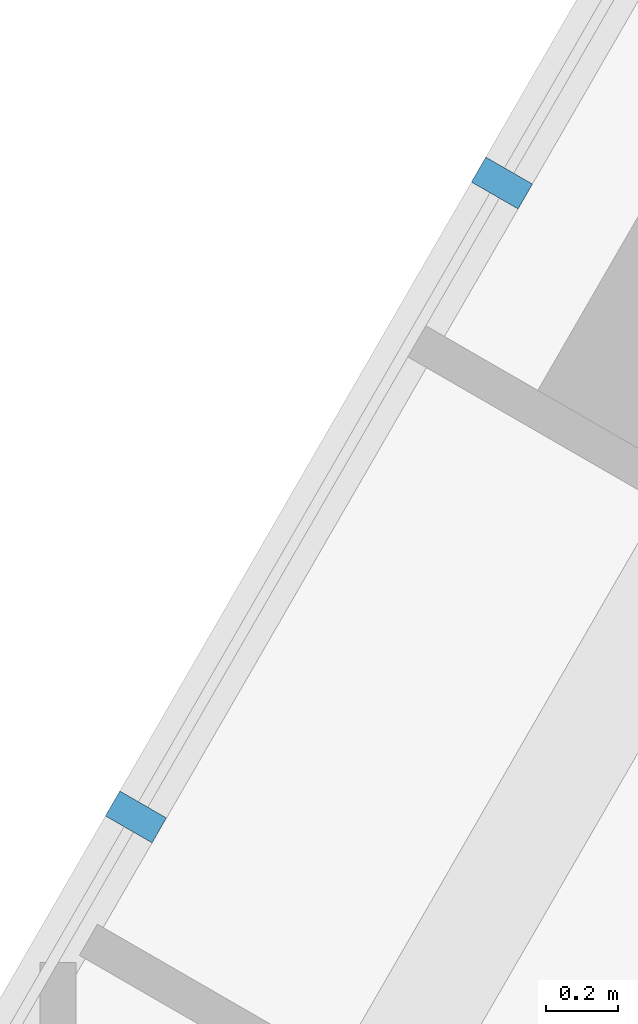
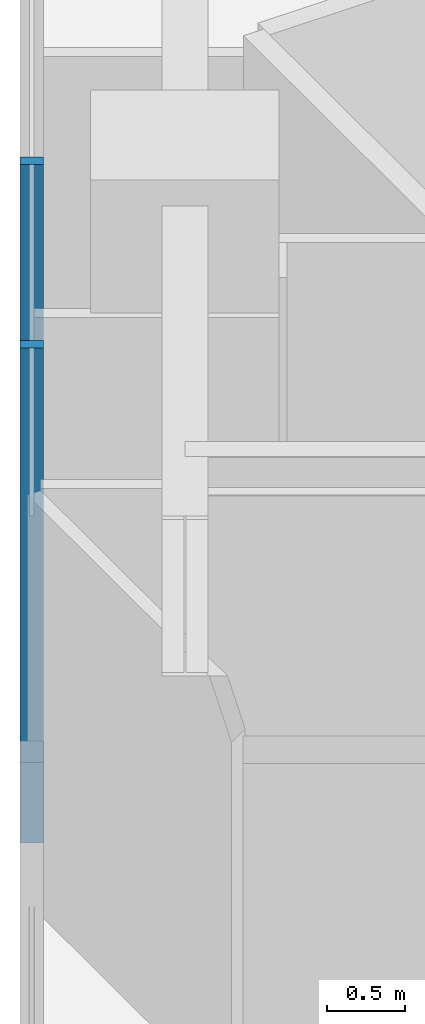
# One storey, part 8 of 29: 2 members, 1 element without a shape of its own.
"""IFC4 building model written with IfcOpenShell, lengths in metres."""

from ifc_helpers import new_model, si_unit, direction, frame, origin, origin_2d, place, context, subcontext, project, spatial, rectangle, extrude, material, layer, layer_set, material_profile, profile_set, type_object, element, aggregate, save


model = new_model("IFC4")

# Units and contexts
model_context = context("Model", 3, precision=1e-05, world=origin(), true_north=direction((0.0, 1.0)))
body_context = subcontext(model_context, "Body", "Model", "MODEL_VIEW")
ifc_project = project(units=[si_unit("LENGTHUNIT", "METRE"), si_unit("AREAUNIT", "SQUARE_METRE"), si_unit("VOLUMEUNIT", "CUBIC_METRE"), si_unit("PLANEANGLEUNIT", "RADIAN"), si_unit("MASSUNIT", "GRAM", prefix="KILO")], contexts=[model_context])

# Site, building, storey
site_placement = place(None, origin())
site = spatial("IfcSite", under=ifc_project, at=site_placement, CompositionType="ELEMENT")
building_placement = place(site_placement, origin())
building = spatial("IfcBuilding", under=site, at=building_placement, Name="Firuza Gate Tower and Library", CompositionType="ELEMENT")
storey_placement = place(building_placement, frame((0.0, 0.0, 44.199951171875)))
storey = spatial("IfcBuildingStorey", under=building, at=storey_placement, Name="L09", CompositionType="ELEMENT", Elevation=44.199951171875)

# Curtain wall, members
ifc_material_1 = material(Name="Aluminium 6063-T6", Category="aluminium")
ifc_layer = layer(ifc_material_1, 0.14990234375)
ifc_layer_set = layer_set([ifc_layer], Name="Unitised curtain wall, offices")
curtain_wall_type = type_object("IfcCurtainWallType", Name="Unitised curtain wall, offices", PredefinedType="NOTDEFINED", material=ifc_layer_set)
curtain_wall_placement = place(storey_placement, origin())
curtain_wall = element("IfcCurtainWall", 1, at=curtain_wall_placement, inside=storey, type_object=curtain_wall_type, Name="CW1 L09 W face", PredefinedType="NOTDEFINED")
ifc_material_2 = material(Name="Aluminium 6063-T6", Category="aluminium")
ifc_material_profile = material_profile(ifc_material_2, rectangle(XDim=0.14990234375, YDim=0.080078125, at=origin_2d()))
ifc_profile_set = profile_set([ifc_material_profile], Name="Aluminium 6063-T6")
member_type = type_object("IfcMemberType", Name="Curtain wall mullion 80x150", PredefinedType="MULLION", material=ifc_profile_set)
member_1_placement = place(storey_placement, frame((56.93505859375, 85.4296875, 0.150146484375), z_axis=(0.0, 0.0, 1.0), x_axis=(0.866025403784, -0.5, 0.0)))
member_1 = element("IfcMember", 2, at=member_1_placement, type_object=member_type, Name="Mullion", PredefinedType="MULLION", context=body_context, shape_type="SweptSolid", body=[
    extrude(rectangle(XDim=0.14990234375, YDim=0.080078125, at=origin_2d()), origin(), (0.0, 0.0, 1.0), 3.849853515625),
])
member_2_placement = place(storey_placement, frame((55.916259765625, 83.665283203125, 0.150146484375), z_axis=(0.0, 0.0, 1.0), x_axis=(0.866025403784, -0.5, 0.0)))
member_2 = element("IfcMember", 3, at=member_2_placement, type_object=member_type, Name="Mullion", PredefinedType="MULLION", context=body_context, shape_type="SweptSolid", body=[
    extrude(rectangle(XDim=0.14990234375, YDim=0.080078125, at=origin_2d()), origin(), (0.0, 0.0, 1.0), 3.849853515625),
])
aggregate(curtain_wall, [member_1, member_2])

save(model, "model.ifc")
